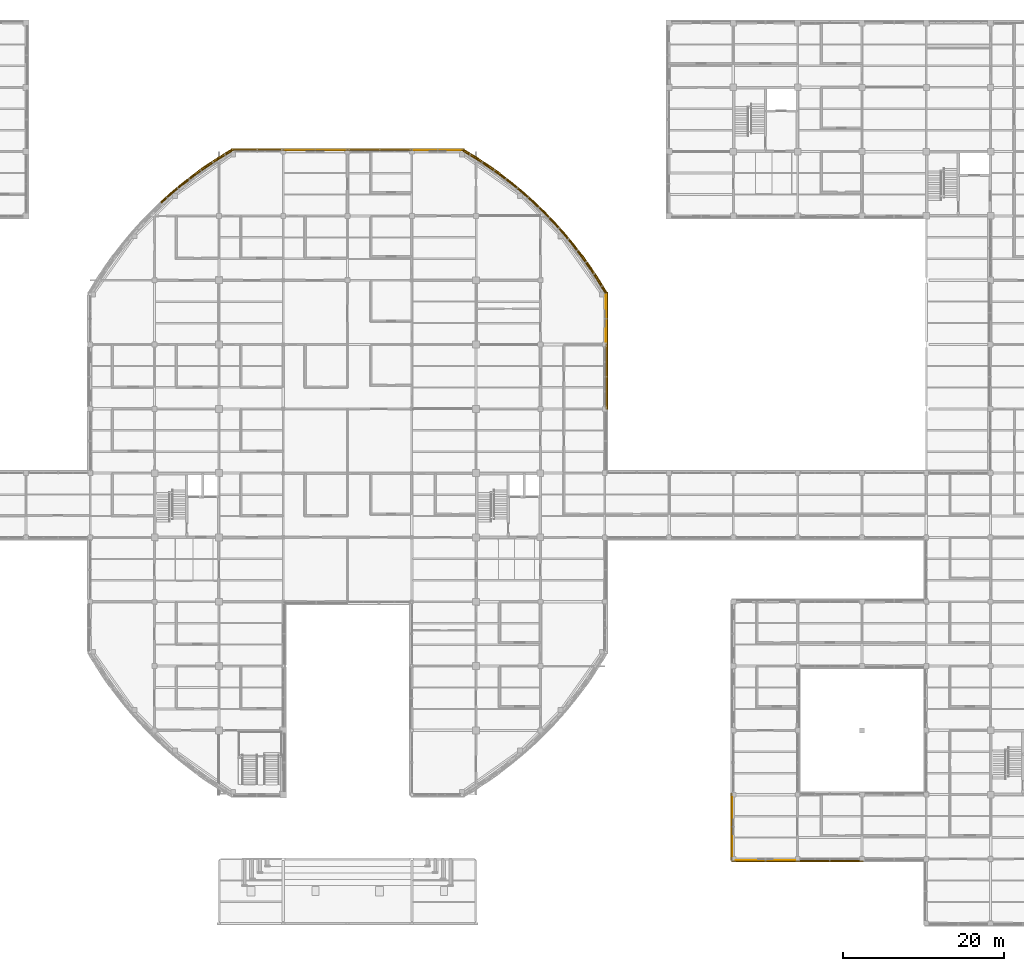
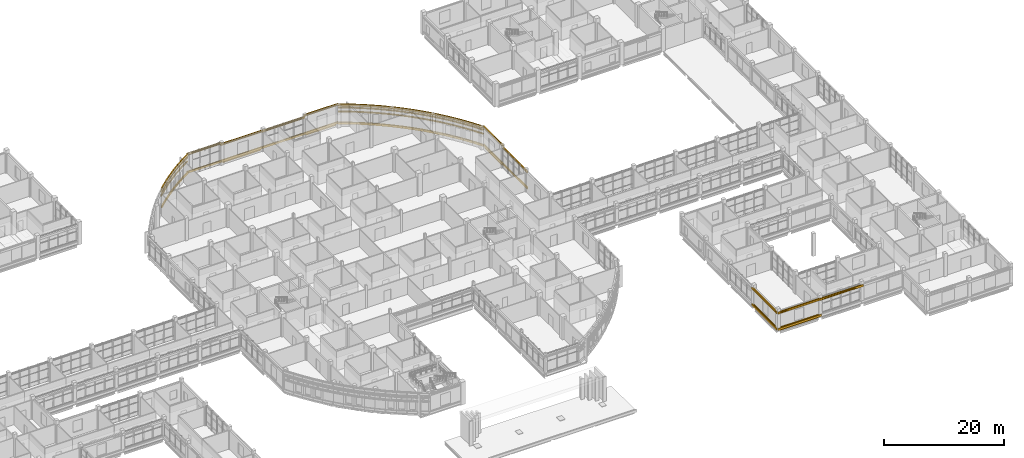
# One storey, part 117 of 121: 62 coverings, 49 shading devices.
"""IFC4 building model written with IfcOpenShell, lengths in metres."""

from ifc_helpers import new_model, si_unit, derived_unit, direction, frame, origin, origin_2d, place, context, subcontext, project, spatial, rectangle, circle, extrude, material, layer, layer_set, material_profile, profile_set, type_object, element, save


model = new_model("IFC4")

# Units and contexts
model_context = context("Model", 3, precision=1e-05, world=origin(), true_north=direction((0.0, 1.0)))
body_context = subcontext(model_context, "Body", "Model", "MODEL_VIEW")
ifc_project = project(units=[si_unit("LENGTHUNIT", "METRE"), si_unit("AREAUNIT", "SQUARE_METRE"), si_unit("VOLUMEUNIT", "CUBIC_METRE"), si_unit("PLANEANGLEUNIT", "RADIAN"), si_unit("MASSUNIT", "GRAM", prefix="KILO"), derived_unit("THERMALTRANSMITTANCEUNIT", [(si_unit("MASSUNIT", "GRAM", prefix="KILO"), 1), (si_unit("TIMEUNIT", "SECOND"), -3), (si_unit("THERMODYNAMICTEMPERATUREUNIT", "KELVIN"), -1)])], contexts=[model_context])

# Site, building, storey
site_placement = place(None, origin())
site = spatial("IfcSite", under=ifc_project, at=site_placement, CompositionType="ELEMENT")
building_placement = place(site_placement, origin())
building = spatial("IfcBuilding", under=site, at=building_placement, Name="Veyamyaing Civic Hall", CompositionType="ELEMENT")
storey_placement = place(building_placement, frame((0.0, 0.0, 5.280029296875)))
storey = spatial("IfcBuildingStorey", under=building, at=storey_placement, Name="L01", CompositionType="ELEMENT", Elevation=5.280029296875)

# Coverings
ifc_material_1 = material(Name="Buff sandstone ashlar cladding", Category="masonry")
ifc_layer_1 = layer(ifc_material_1, 0.050048828125, Name="Buff sandstone ashlar cladding")
ifc_layer_set_1 = layer_set([ifc_layer_1], Name="Buff sandstone ashlar cladding")
covering_type_1 = type_object("IfcCoveringType", Name="CL-01", PredefinedType="CLADDING", material=ifc_layer_set_1)
covering_placement = place(storey_placement, frame((84.0, 96.173583984375, 0.044921875), z_axis=(0.0, 0.0, 1.0), x_axis=(1.0, 0.0, 0.0)))
element("IfcCovering", 1, at=covering_placement, inside=storey, type_object=covering_type_1, Name="Facade spandrel cladding CL-01 L01 N 11.12", PredefinedType="CLADDING", context=body_context, shape_type="SweptSolid", body=[
    extrude(rectangle(XDim=7.35009765625, YDim=0.050048828125, at=origin_2d()), origin(), (0.0, 0.0, 1.0), 0.75),
])
for number, where, z_axis, x_axis, name in (
    (2, (99.21533203125, 96.173583984375, 0.044921875), (0.0, 0.0, 1.0), (1.0, 0.0, 0.0), "Facade spandrel cladding CL-01 L01 N 13.12"),
    (3, (120.173583984375, 75.21533203125, 0.044921875), (0.0, 0.0, 1.0), (0.0, 1.0, 0.0), "Facade spandrel cladding CL-01 L01 E 15.10"),
):
    element("IfcCovering", number, at=place(storey_placement, frame(where, z_axis=z_axis, x_axis=x_axis)), inside=storey, type_object=covering_type_1, Name=name, PredefinedType="CLADDING", context=body_context, shape_type="SweptSolid", body=[
        extrude(rectangle(XDim=5.78076171875, YDim=0.050048828125, at=origin_2d()), origin(), (0.0, 0.0, 1.0), 0.75),
    ])
for number, where, z_axis, x_axis, name in (
    (4, (140.0, 7.843994140625, 0.044921875), (0.0, 0.0, 1.0), (1.0, 0.0, 0.0), "Facade spandrel cladding CL-01 L01 S 18.2"),
    (5, (135.843994140625, 12.0, 0.044921875), (0.0, 0.0, 1.0), (0.0, 1.0, 0.0), "Facade spandrel cladding CL-01 L01 W 18.2"),
):
    element("IfcCovering", number, at=place(storey_placement, frame(where, z_axis=z_axis, x_axis=x_axis)), inside=storey, type_object=covering_type_1, Name=name, PredefinedType="CLADDING", context=body_context, shape_type="SweptSolid", body=[
        extrude(rectangle(XDim=7.35009765625, YDim=0.050048828125, at=origin_2d()), origin(), (0.0, 0.0, 1.0), 0.75),
    ])
ifc_material_2 = material(Name="White powder-coated aluminium 6063-T6", Category="aluminium")
ifc_layer_2 = layer(ifc_material_2, 0.2099609375, Name="White powder-coated aluminium 6063-T6")
ifc_layer_set_2 = layer_set([ifc_layer_2], Name="White powder-coated aluminium 6063-T6")
covering_type_2 = type_object("IfcCoveringType", Name="CL-03", PredefinedType="CLADDING", material=ifc_layer_set_2)
for number, where, z_axis, x_axis, name in (
    (6, (119.605224609375, 79.24072265625, 0.27001953125), (0.0, 0.0, 1.0), (-0.516106513571, 0.856524411006, 0.0), "Continuous white corner ribbon CL-03 L01 NE.1.1"),
    (7, (119.605224609375, 79.24072265625, 3.945068359375), (0.0, 0.0, 1.0), (-0.516106513571, 0.856524411006, 0.0), "Continuous white corner ribbon CL-03 L01 NE.1.2"),
    (8, (118.648681640625, 80.76318359375, 0.27001953125), (0.0, 0.0, 1.0), (-0.547771714075, 0.836627843942, 0.0), "Continuous white corner ribbon CL-03 L01 NE.2.1"),
    (9, (118.648681640625, 80.76318359375, 3.945068359375), (0.0, 0.0, 1.0), (-0.547771714075, 0.836627843942, 0.0), "Continuous white corner ribbon CL-03 L01 NE.2.2"),
    (10, (117.635986328125, 82.248291015625, 0.27001953125), (0.0, 0.0, 1.0), (-0.578671161892, 0.815560964241, 0.0), "Continuous white corner ribbon CL-03 L01 NE.3.1"),
    (11, (117.635986328125, 82.248291015625, 3.945068359375), (0.0, 0.0, 1.0), (-0.578671161892, 0.815560964241, 0.0), "Continuous white corner ribbon CL-03 L01 NE.3.2"),
    (12, (116.568603515625, 83.69482421875, 0.27001953125), (0.0, 0.0, 1.0), (-0.608761490723, 0.793353292936, 0.0), "Continuous white corner ribbon CL-03 L01 NE.4.1"),
    (13, (116.568603515625, 83.69482421875, 3.945068359375), (0.0, 0.0, 1.0), (-0.608761490723, 0.793353292936, 0.0), "Continuous white corner ribbon CL-03 L01 NE.4.2"),
    (14, (115.44775390625, 85.1005859375, 0.27001953125), (0.0, 0.0, 1.0), (-0.638000405445, 0.770036026853, 0.0), "Continuous white corner ribbon CL-03 L01 NE.5.1"),
    (15, (115.44775390625, 85.1005859375, 3.945068359375), (0.0, 0.0, 1.0), (-0.638000405445, 0.770036026853, 0.0), "Continuous white corner ribbon CL-03 L01 NE.5.2"),
    (16, (114.27490234375, 86.463134765625, 0.27001953125), (0.0, 0.0, 1.0), (-0.666346529453, 0.745642208225, 0.0), "Continuous white corner ribbon CL-03 L01 NE.6.1"),
    (17, (114.27490234375, 86.463134765625, 3.945068359375), (0.0, 0.0, 1.0), (-0.666346529453, 0.745642208225, 0.0), "Continuous white corner ribbon CL-03 L01 NE.6.2"),
    (18, (113.05224609375, 87.781005859375, 0.27001953125), (0.0, 0.0, 1.0), (-0.693760978012, 0.720205321688, 0.0), "Continuous white corner ribbon CL-03 L01 NE.7.1"),
    (19, (113.05224609375, 87.781005859375, 3.945068359375), (0.0, 0.0, 1.0), (-0.693760978012, 0.720205321688, 0.0), "Continuous white corner ribbon CL-03 L01 NE.7.2"),
    (20, (111.781005859375, 89.05224609375, 0.27001953125), (0.0, 0.0, 1.0), (-0.720205321688, 0.693760978012, 0.0), "Continuous white corner ribbon CL-03 L01 NE.8.1"),
    (21, (111.781005859375, 89.05224609375, 3.945068359375), (0.0, 0.0, 1.0), (-0.720205321688, 0.693760978012, 0.0), "Continuous white corner ribbon CL-03 L01 NE.8.2"),
    (22, (110.463134765625, 90.27490234375, 0.27001953125), (0.0, 0.0, 1.0), (-0.745642208225, 0.666346529453, 0.0), "Continuous white corner ribbon CL-03 L01 NE.9.1"),
    (23, (110.463134765625, 90.27490234375, 3.945068359375), (0.0, 0.0, 1.0), (-0.745642208225, 0.666346529453, 0.0), "Continuous white corner ribbon CL-03 L01 NE.9.2"),
    (24, (109.1005859375, 91.44775390625, 0.27001953125), (0.0, 0.0, 1.0), (-0.770036026853, 0.638000405445, 0.0), "Continuous white corner ribbon CL-03 L01 NE.10.1"),
    (25, (109.1005859375, 91.44775390625, 3.945068359375), (0.0, 0.0, 1.0), (-0.770036026853, 0.638000405445, 0.0), "Continuous white corner ribbon CL-03 L01 NE.10.2"),
    (26, (107.69482421875, 92.568603515625, 0.27001953125), (0.0, 0.0, 1.0), (-0.793353292936, 0.608761490723, 0.0), "Continuous white corner ribbon CL-03 L01 NE.11.1"),
    (27, (107.69482421875, 92.568603515625, 3.945068359375), (0.0, 0.0, 1.0), (-0.793353292936, 0.608761490723, 0.0), "Continuous white corner ribbon CL-03 L01 NE.11.2"),
    (28, (106.248291015625, 93.635986328125, 0.27001953125), (0.0, 0.0, 1.0), (-0.815560964241, 0.578671161892, 0.0), "Continuous white corner ribbon CL-03 L01 NE.12.1"),
    (29, (106.248291015625, 93.635986328125, 3.945068359375), (0.0, 0.0, 1.0), (-0.815560964241, 0.578671161892, 0.0), "Continuous white corner ribbon CL-03 L01 NE.12.2"),
    (30, (104.76318359375, 94.648681640625, 0.27001953125), (0.0, 0.0, 1.0), (-0.836627843942, 0.547771714075, 0.0), "Continuous white corner ribbon CL-03 L01 NE.13.1"),
    (31, (104.76318359375, 94.648681640625, 3.945068359375), (0.0, 0.0, 1.0), (-0.836627843942, 0.547771714075, 0.0), "Continuous white corner ribbon CL-03 L01 NE.13.2"),
    (32, (103.24072265625, 95.605224609375, 0.27001953125), (0.0, 0.0, 1.0), (-0.856524411006, 0.516106513571, 0.0), "Continuous white corner ribbon CL-03 L01 NE.14.1"),
    (33, (103.24072265625, 95.605224609375, 3.945068359375), (0.0, 0.0, 1.0), (-0.856524411006, 0.516106513571, 0.0), "Continuous white corner ribbon CL-03 L01 NE.14.2"),
    (34, (72.75927734375, 95.605224609375, 0.27001953125), (0.0, 0.0, 1.0), (-0.856524411006, -0.516106513571, 0.0), "Continuous white corner ribbon CL-03 L01 NW.1.1"),
    (35, (72.75927734375, 95.605224609375, 3.945068359375), (0.0, 0.0, 1.0), (-0.856524411006, -0.516106513571, 0.0), "Continuous white corner ribbon CL-03 L01 NW.1.2"),
    (36, (71.23681640625, 94.648681640625, 0.27001953125), (0.0, 0.0, 1.0), (-0.836627843942, -0.547771714075, 0.0), "Continuous white corner ribbon CL-03 L01 NW.2.1"),
    (37, (71.23681640625, 94.648681640625, 3.945068359375), (0.0, 0.0, 1.0), (-0.836627843942, -0.547771714075, 0.0), "Continuous white corner ribbon CL-03 L01 NW.2.2"),
    (38, (69.751708984375, 93.635986328125, 0.27001953125), (0.0, 0.0, 1.0), (-0.815560964241, -0.578671161892, 0.0), "Continuous white corner ribbon CL-03 L01 NW.3.1"),
    (39, (69.751708984375, 93.635986328125, 3.945068359375), (0.0, 0.0, 1.0), (-0.815560964241, -0.578671161892, 0.0), "Continuous white corner ribbon CL-03 L01 NW.3.2"),
    (40, (68.30517578125, 92.568603515625, 0.27001953125), (0.0, 0.0, 1.0), (-0.793353292936, -0.608761490723, 0.0), "Continuous white corner ribbon CL-03 L01 NW.4.1"),
    (41, (68.30517578125, 92.568603515625, 3.945068359375), (0.0, 0.0, 1.0), (-0.793353292936, -0.608761490723, 0.0), "Continuous white corner ribbon CL-03 L01 NW.4.2"),
    (42, (66.8994140625, 91.44775390625, 0.27001953125), (0.0, 0.0, 1.0), (-0.770036026853, -0.638000405445, 0.0), "Continuous white corner ribbon CL-03 L01 NW.5.1"),
    (43, (66.8994140625, 91.44775390625, 3.945068359375), (0.0, 0.0, 1.0), (-0.770036026853, -0.638000405445, 0.0), "Continuous white corner ribbon CL-03 L01 NW.5.2"),
    (44, (65.536865234375, 90.27490234375, 0.27001953125), (0.0, 0.0, 1.0), (-0.745642208225, -0.666346529453, 0.0), "Continuous white corner ribbon CL-03 L01 NW.6.1"),
    (45, (65.536865234375, 90.27490234375, 3.945068359375), (0.0, 0.0, 1.0), (-0.745642208225, -0.666346529453, 0.0), "Continuous white corner ribbon CL-03 L01 NW.6.2"),
):
    element("IfcCovering", number, at=place(storey_placement, frame(where, z_axis=z_axis, x_axis=x_axis)), inside=storey, type_object=covering_type_2, Name=name, PredefinedType="CLADDING", context=body_context, shape_type="SweptSolid", body=[
        extrude(rectangle(XDim=1.93505859375, YDim=0.2099609375, at=origin_2d()), origin(), (0.0, 0.0, 1.0), 0.419921875),
    ])
for number, where, z_axis, x_axis, name in (
    (46, (76.78466796875, 96.239990234375, 3.955078125), (0.0, 0.0, 1.0), (1.0, 0.0, 0.0), "Continuous white head fascia ribbon CL-03 L01 N 10.12"),
    (47, (76.78466796875, 96.239990234375, 0.280029296875), (0.0, 0.0, 1.0), (1.0, 0.0, 0.0), "Continuous white sill fascia ribbon CL-03 L01 N 10.12"),
):
    element("IfcCovering", number, at=place(storey_placement, frame(where, z_axis=z_axis, x_axis=x_axis)), inside=storey, type_object=covering_type_2, Name=name, PredefinedType="CLADDING", context=body_context, shape_type="SweptSolid", body=[
        extrude(rectangle(XDim=6.55078125, YDim=0.2099609375, at=origin_2d()), origin(), (0.0, 0.0, 1.0), 0.39990234375),
    ])
for number, where, z_axis, x_axis, name in (
    (48, (84.0, 96.239990234375, 3.64208984375), (0.0, 0.0, 1.0), (1.0, 0.0, 0.0), "Continuous white head fascia ribbon CL-03 L01 N 11.12"),
    (49, (84.0, 96.239990234375, 0.280029296875), (0.0, 0.0, 1.0), (1.0, 0.0, 0.0), "Continuous white sill fascia ribbon CL-03 L01 N 11.12"),
    (50, (92.0, 96.239990234375, 3.574951171875), (0.0, 0.0, 1.0), (1.0, 0.0, 0.0), "Continuous white head fascia ribbon CL-03 L01 N 12.12"),
    (51, (92.0, 96.239990234375, 0.280029296875), (0.0, 0.0, 1.0), (1.0, 0.0, 0.0), "Continuous white sill fascia ribbon CL-03 L01 N 12.12"),
):
    element("IfcCovering", number, at=place(storey_placement, frame(where, z_axis=z_axis, x_axis=x_axis)), inside=storey, type_object=covering_type_2, Name=name, PredefinedType="CLADDING", context=body_context, shape_type="SweptSolid", body=[
        extrude(rectangle(XDim=8.1201171875, YDim=0.2099609375, at=origin_2d()), origin(), (0.0, 0.0, 1.0), 0.39990234375),
    ])
for number, where, z_axis, x_axis, name in (
    (52, (99.21533203125, 96.239990234375, 3.955078125), (0.0, 0.0, 1.0), (1.0, 0.0, 0.0), "Continuous white head fascia ribbon CL-03 L01 N 13.12"),
    (53, (99.21533203125, 96.239990234375, 0.280029296875), (0.0, 0.0, 1.0), (1.0, 0.0, 0.0), "Continuous white sill fascia ribbon CL-03 L01 N 13.12"),
):
    element("IfcCovering", number, at=place(storey_placement, frame(where, z_axis=z_axis, x_axis=x_axis)), inside=storey, type_object=covering_type_2, Name=name, PredefinedType="CLADDING", context=body_context, shape_type="SweptSolid", body=[
        extrude(rectangle(XDim=6.55078125, YDim=0.2099609375, at=origin_2d()), origin(), (0.0, 0.0, 1.0), 0.39990234375),
    ])
for number, where, z_axis, x_axis, name in (
    (54, (120.239990234375, 68.0, 3.574951171875), (0.0, 0.0, 1.0), (0.0, 1.0, 0.0), "Continuous white head fascia ribbon CL-03 L01 E 15.9"),
    (55, (120.239990234375, 68.0, 0.280029296875), (0.0, 0.0, 1.0), (0.0, 1.0, 0.0), "Continuous white sill fascia ribbon CL-03 L01 E 15.9"),
):
    element("IfcCovering", number, at=place(storey_placement, frame(where, z_axis=z_axis, x_axis=x_axis)), inside=storey, type_object=covering_type_2, Name=name, PredefinedType="CLADDING", context=body_context, shape_type="SweptSolid", body=[
        extrude(rectangle(XDim=8.1201171875, YDim=0.2099609375, at=origin_2d()), origin(), (0.0, 0.0, 1.0), 0.39990234375),
    ])
for number, where, z_axis, x_axis, name in (
    (56, (120.239990234375, 75.21533203125, 3.955078125), (0.0, 0.0, 1.0), (0.0, 1.0, 0.0), "Continuous white head fascia ribbon CL-03 L01 E 15.10"),
    (57, (120.239990234375, 75.21533203125, 0.280029296875), (0.0, 0.0, 1.0), (0.0, 1.0, 0.0), "Continuous white sill fascia ribbon CL-03 L01 E 15.10"),
):
    element("IfcCovering", number, at=place(storey_placement, frame(where, z_axis=z_axis, x_axis=x_axis)), inside=storey, type_object=covering_type_2, Name=name, PredefinedType="CLADDING", context=body_context, shape_type="SweptSolid", body=[
        extrude(rectangle(XDim=6.55078125, YDim=0.2099609375, at=origin_2d()), origin(), (0.0, 0.0, 1.0), 0.39990234375),
    ])
for number, where, z_axis, x_axis, name in (
    (58, (140.0, 7.760009765625, 3.596923828125), (0.0, 0.0, 1.0), (1.0, 0.0, 0.0), "Continuous white head fascia ribbon CL-03 L01 S 18.2"),
    (59, (140.0, 7.760009765625, 0.280029296875), (0.0, 0.0, 1.0), (1.0, 0.0, 0.0), "Continuous white sill fascia ribbon CL-03 L01 S 18.2"),
    (60, (135.760009765625, 12.0, 3.596923828125), (0.0, 0.0, 1.0), (0.0, 1.0, 0.0), "Continuous white head fascia ribbon CL-03 L01 W 18.2"),
    (61, (135.760009765625, 12.0, 0.280029296875), (0.0, 0.0, 1.0), (0.0, 1.0, 0.0), "Continuous white sill fascia ribbon CL-03 L01 W 18.2"),
    (62, (148.0, 7.760009765625, 3.530029296875), (0.0, 0.0, 1.0), (1.0, 0.0, 0.0), "Continuous white head fascia ribbon CL-03 L01 S 19.2"),
):
    element("IfcCovering", number, at=place(storey_placement, frame(where, z_axis=z_axis, x_axis=x_axis)), inside=storey, type_object=covering_type_2, Name=name, PredefinedType="CLADDING", context=body_context, shape_type="SweptSolid", body=[
        extrude(rectangle(XDim=8.360107421875, YDim=0.2099609375, at=origin_2d()), origin(), (0.0, 0.0, 1.0), 0.39990234375),
    ])

# Shading devices
ifc_material_profile_1 = material_profile(ifc_material_2, circle(Radius=0.110107421875, at=origin_2d()), Name="SHADE-TUBE-220")
ifc_profile_set_1 = profile_set([ifc_material_profile_1], Name="White powder-coated aluminium 6063-T6")
shading_device_type_1 = type_object("IfcShadingDeviceType", Name="SH-01", PredefinedType="USERDEFINED", material=ifc_profile_set_1)
for number, where, z_axis, x_axis, name in (
    (63, (120.136962890625, 78.513427734375, 2.75), (-0.51607516088, 0.856543302071, 0.0), (-0.856543302071, -0.51607516088, 0.0), "White corner sunshade ribbon SH-01 L01 NE.1.1"),
    (64, (120.136962890625, 78.513427734375, 3.550048828125), (-0.51607516088, 0.856543302071, 0.0), (-0.856543302071, -0.51607516088, 0.0), "White corner sunshade ribbon SH-01 L01 NE.1.2"),
):
    element("IfcShadingDevice", number, at=place(storey_placement, frame(where, z_axis=z_axis, x_axis=x_axis)), inside=storey, type_object=shading_device_type_1, Name=name, ObjectType="SUNSHADE", PredefinedType="USERDEFINED", context=body_context, shape_type="SweptSolid", body=[
        extrude(circle(Radius=0.110107421875, at=origin_2d()), origin(), (0.0, 0.0, 1.0), 1.794921875),
    ])
for number, where, z_axis, x_axis, name in (
    (65, (119.20751953125, 80.055908203125, 2.75), (-0.547776876079, 0.836624464161, 0.0), (-0.836624464161, -0.547776876079, 0.0), "White corner sunshade ribbon SH-01 L01 NE.2.1"),
    (66, (119.20751953125, 80.055908203125, 3.550048828125), (-0.547776876079, 0.836624464161, 0.0), (-0.836624464161, -0.547776876079, 0.0), "White corner sunshade ribbon SH-01 L01 NE.2.2"),
):
    element("IfcShadingDevice", number, at=place(storey_placement, frame(where, z_axis=z_axis, x_axis=x_axis)), inside=storey, type_object=shading_device_type_1, Name=name, ObjectType="SUNSHADE", PredefinedType="USERDEFINED", context=body_context, shape_type="SweptSolid", body=[
        extrude(circle(Radius=0.110107421875, at=origin_2d()), origin(), (0.0, 0.0, 1.0), 1.795166015625),
    ])
for number, where, z_axis, x_axis, name in (
    (67, (118.220703125, 81.562744140625, 2.75), (-0.578726580586, 0.815521639764, 0.0), (-0.815521639764, -0.578726580586, 0.0), "White corner sunshade ribbon SH-01 L01 NE.3.1"),
    (68, (118.220703125, 81.562744140625, 3.550048828125), (-0.578726580586, 0.815521639764, 0.0), (-0.815521639764, -0.578726580586, 0.0), "White corner sunshade ribbon SH-01 L01 NE.3.2"),
):
    element("IfcShadingDevice", number, at=place(storey_placement, frame(where, z_axis=z_axis, x_axis=x_axis)), inside=storey, type_object=shading_device_type_1, Name=name, ObjectType="SUNSHADE", PredefinedType="USERDEFINED", context=body_context, shape_type="SweptSolid", body=[
        extrude(circle(Radius=0.110107421875, at=origin_2d()), origin(), (0.0, 0.0, 1.0), 1.794921875),
    ])
for number, where, z_axis, x_axis, name in (
    (69, (117.178466796875, 83.031494140625, 2.75), (-0.608711298549, 0.79339180423, 0.0), (-0.79339180423, -0.608711298549, 0.0), "White corner sunshade ribbon SH-01 L01 NE.4.1"),
    (70, (117.178466796875, 83.031494140625, 3.550048828125), (-0.608711298549, 0.79339180423, 0.0), (-0.79339180423, -0.608711298549, 0.0), "White corner sunshade ribbon SH-01 L01 NE.4.2"),
    (71, (116.081787109375, 84.46044921875, 2.75), (-0.637987912111, 0.770046377824, 0.0), (-0.770046377824, -0.637987912111, 0.0), "White corner sunshade ribbon SH-01 L01 NE.5.1"),
    (72, (116.081787109375, 84.46044921875, 3.550048828125), (-0.637987912111, 0.770046377824, 0.0), (-0.770046377824, -0.637987912111, 0.0), "White corner sunshade ribbon SH-01 L01 NE.5.2"),
    (73, (114.9326171875, 85.84716796875, 2.75), (-0.666277888361, 0.745703543965, 0.0), (-0.745703543965, -0.666277888361, 0.0), "White corner sunshade ribbon SH-01 L01 NE.6.1"),
    (74, (114.9326171875, 85.84716796875, 3.550048828125), (-0.666277888361, 0.745703543965, 0.0), (-0.745703543965, -0.666277888361, 0.0), "White corner sunshade ribbon SH-01 L01 NE.6.2"),
):
    element("IfcShadingDevice", number, at=place(storey_placement, frame(where, z_axis=z_axis, x_axis=x_axis)), inside=storey, type_object=shading_device_type_1, Name=name, ObjectType="SUNSHADE", PredefinedType="USERDEFINED", context=body_context, shape_type="SweptSolid", body=[
        extrude(circle(Radius=0.110107421875, at=origin_2d()), origin(), (0.0, 0.0, 1.0), 1.795166015625),
    ])
for number, where, z_axis, x_axis, name in (
    (75, (113.732421875, 87.190185546875, 2.75), (-0.693790654785, 0.720176733402, 0.0), (-0.720176733402, -0.693790654785, 0.0), "White corner sunshade ribbon SH-01 L01 NE.7.1"),
    (76, (113.732421875, 87.190185546875, 3.550048828125), (-0.693790654785, 0.720176733402, 0.0), (-0.720176733402, -0.693790654785, 0.0), "White corner sunshade ribbon SH-01 L01 NE.7.2"),
    (77, (112.48291015625, 88.487060546875, 2.75), (-0.720176733402, 0.693790654785, 0.0), (-0.693790654785, -0.720176733402, 0.0), "White corner sunshade ribbon SH-01 L01 NE.8.1"),
    (78, (112.48291015625, 88.487060546875, 3.550048828125), (-0.720176733402, 0.693790654785, 0.0), (-0.693790654785, -0.720176733402, 0.0), "White corner sunshade ribbon SH-01 L01 NE.8.2"),
):
    element("IfcShadingDevice", number, at=place(storey_placement, frame(where, z_axis=z_axis, x_axis=x_axis)), inside=storey, type_object=shading_device_type_1, Name=name, ObjectType="SUNSHADE", PredefinedType="USERDEFINED", context=body_context, shape_type="SweptSolid", body=[
        extrude(circle(Radius=0.110107421875, at=origin_2d()), origin(), (0.0, 0.0, 1.0), 1.794921875),
    ])
for number, where, z_axis, x_axis, name in (
    (79, (111.185791015625, 89.736572265625, 2.75), (-0.745703543965, 0.666277888361, 0.0), (-0.666277888361, -0.745703543965, 0.0), "White corner sunshade ribbon SH-01 L01 NE.9.1"),
    (80, (111.185791015625, 89.736572265625, 3.550048828125), (-0.745703543965, 0.666277888361, 0.0), (-0.666277888361, -0.745703543965, 0.0), "White corner sunshade ribbon SH-01 L01 NE.9.2"),
    (81, (109.8427734375, 90.9365234375, 2.75), (-0.770046377824, 0.637987912111, 0.0), (-0.637987912111, -0.770046377824, 0.0), "White corner sunshade ribbon SH-01 L01 NE.10.1"),
    (82, (109.8427734375, 90.9365234375, 3.550048828125), (-0.770046377824, 0.637987912111, 0.0), (-0.637987912111, -0.770046377824, 0.0), "White corner sunshade ribbon SH-01 L01 NE.10.2"),
    (83, (108.455810546875, 92.085693359375, 2.75), (-0.79339180423, 0.608711298549, 0.0), (-0.608711298549, -0.79339180423, 0.0), "White corner sunshade ribbon SH-01 L01 NE.11.1"),
    (84, (108.455810546875, 92.085693359375, 3.550048828125), (-0.79339180423, 0.608711298549, 0.0), (-0.608711298549, -0.79339180423, 0.0), "White corner sunshade ribbon SH-01 L01 NE.11.2"),
):
    element("IfcShadingDevice", number, at=place(storey_placement, frame(where, z_axis=z_axis, x_axis=x_axis)), inside=storey, type_object=shading_device_type_1, Name=name, ObjectType="SUNSHADE", PredefinedType="USERDEFINED", context=body_context, shape_type="SweptSolid", body=[
        extrude(circle(Radius=0.110107421875, at=origin_2d()), origin(), (0.0, 0.0, 1.0), 1.795166015625),
    ])
for number, where, z_axis, x_axis, name in (
    (85, (107.026611328125, 93.181884765625, 2.75), (-0.815521639764, 0.578726580586, 0.0), (-0.578726580586, -0.815521639764, 0.0), "White corner sunshade ribbon SH-01 L01 NE.12.1"),
    (86, (107.026611328125, 93.181884765625, 3.550048828125), (-0.815521639764, 0.578726580586, 0.0), (-0.578726580586, -0.815521639764, 0.0), "White corner sunshade ribbon SH-01 L01 NE.12.2"),
):
    element("IfcShadingDevice", number, at=place(storey_placement, frame(where, z_axis=z_axis, x_axis=x_axis)), inside=storey, type_object=shading_device_type_1, Name=name, ObjectType="SUNSHADE", PredefinedType="USERDEFINED", context=body_context, shape_type="SweptSolid", body=[
        extrude(circle(Radius=0.110107421875, at=origin_2d()), origin(), (0.0, 0.0, 1.0), 1.794921875),
    ])
for number, where, z_axis, x_axis, name in (
    (87, (105.557861328125, 94.22412109375, 2.75), (-0.836624464161, 0.547776876079, 0.0), (-0.547776876079, -0.836624464161, 0.0), "White corner sunshade ribbon SH-01 L01 NE.13.1"),
    (88, (105.557861328125, 94.22412109375, 3.550048828125), (-0.836624464161, 0.547776876079, 0.0), (-0.547776876079, -0.836624464161, 0.0), "White corner sunshade ribbon SH-01 L01 NE.13.2"),
):
    element("IfcShadingDevice", number, at=place(storey_placement, frame(where, z_axis=z_axis, x_axis=x_axis)), inside=storey, type_object=shading_device_type_1, Name=name, ObjectType="SUNSHADE", PredefinedType="USERDEFINED", context=body_context, shape_type="SweptSolid", body=[
        extrude(circle(Radius=0.110107421875, at=origin_2d()), origin(), (0.0, 0.0, 1.0), 1.795166015625),
    ])
for number, where, z_axis, x_axis, name in (
    (89, (104.05078125, 95.210693359375, 2.75), (-0.856543302071, 0.51607516088, 0.0), (-0.51607516088, -0.856543302071, 0.0), "White corner sunshade ribbon SH-01 L01 NE.14.1"),
    (90, (104.05078125, 95.210693359375, 3.550048828125), (-0.856543302071, 0.51607516088, 0.0), (-0.51607516088, -0.856543302071, 0.0), "White corner sunshade ribbon SH-01 L01 NE.14.2"),
    (91, (73.486572265625, 96.136962890625, 2.75), (-0.856543302071, -0.51607516088, 0.0), (0.51607516088, -0.856543302071, 0.0), "White corner sunshade ribbon SH-01 L01 NW.1.1"),
    (92, (73.486572265625, 96.136962890625, 3.550048828125), (-0.856543302071, -0.51607516088, 0.0), (0.51607516088, -0.856543302071, 0.0), "White corner sunshade ribbon SH-01 L01 NW.1.2"),
):
    element("IfcShadingDevice", number, at=place(storey_placement, frame(where, z_axis=z_axis, x_axis=x_axis)), inside=storey, type_object=shading_device_type_1, Name=name, ObjectType="SUNSHADE", PredefinedType="USERDEFINED", context=body_context, shape_type="SweptSolid", body=[
        extrude(circle(Radius=0.110107421875, at=origin_2d()), origin(), (0.0, 0.0, 1.0), 1.794921875),
    ])
for number, where, z_axis, x_axis, name in (
    (93, (71.944091796875, 95.20751953125, 2.75), (-0.836624464161, -0.547776876079, 0.0), (0.547776876079, -0.836624464161, 0.0), "White corner sunshade ribbon SH-01 L01 NW.2.1"),
    (94, (71.944091796875, 95.20751953125, 3.550048828125), (-0.836624464161, -0.547776876079, 0.0), (0.547776876079, -0.836624464161, 0.0), "White corner sunshade ribbon SH-01 L01 NW.2.2"),
):
    element("IfcShadingDevice", number, at=place(storey_placement, frame(where, z_axis=z_axis, x_axis=x_axis)), inside=storey, type_object=shading_device_type_1, Name=name, ObjectType="SUNSHADE", PredefinedType="USERDEFINED", context=body_context, shape_type="SweptSolid", body=[
        extrude(circle(Radius=0.110107421875, at=origin_2d()), origin(), (0.0, 0.0, 1.0), 1.795166015625),
    ])
for number, where, z_axis, x_axis, name in (
    (95, (70.437255859375, 94.220703125, 2.75), (-0.815521639764, -0.578726580586, 0.0), (0.578726580586, -0.815521639764, 0.0), "White corner sunshade ribbon SH-01 L01 NW.3.1"),
    (96, (70.437255859375, 94.220703125, 3.550048828125), (-0.815521639764, -0.578726580586, 0.0), (0.578726580586, -0.815521639764, 0.0), "White corner sunshade ribbon SH-01 L01 NW.3.2"),
):
    element("IfcShadingDevice", number, at=place(storey_placement, frame(where, z_axis=z_axis, x_axis=x_axis)), inside=storey, type_object=shading_device_type_1, Name=name, ObjectType="SUNSHADE", PredefinedType="USERDEFINED", context=body_context, shape_type="SweptSolid", body=[
        extrude(circle(Radius=0.110107421875, at=origin_2d()), origin(), (0.0, 0.0, 1.0), 1.794921875),
    ])
for number, where, z_axis, x_axis, name in (
    (97, (68.968505859375, 93.178466796875, 2.75), (-0.79339180423, -0.608711298549, 0.0), (0.608711298549, -0.79339180423, 0.0), "White corner sunshade ribbon SH-01 L01 NW.4.1"),
    (98, (68.968505859375, 93.178466796875, 3.550048828125), (-0.79339180423, -0.608711298549, 0.0), (0.608711298549, -0.79339180423, 0.0), "White corner sunshade ribbon SH-01 L01 NW.4.2"),
    (99, (67.53955078125, 92.081787109375, 2.75), (-0.770046377824, -0.637987912111, 0.0), (0.637987912111, -0.770046377824, 0.0), "White corner sunshade ribbon SH-01 L01 NW.5.1"),
    (100, (67.53955078125, 92.081787109375, 3.550048828125), (-0.770046377824, -0.637987912111, 0.0), (0.637987912111, -0.770046377824, 0.0), "White corner sunshade ribbon SH-01 L01 NW.5.2"),
    (101, (66.15283203125, 90.9326171875, 2.75), (-0.745703543965, -0.666277888361, 0.0), (0.666277888361, -0.745703543965, 0.0), "White corner sunshade ribbon SH-01 L01 NW.6.1"),
    (102, (66.15283203125, 90.9326171875, 3.550048828125), (-0.745703543965, -0.666277888361, 0.0), (0.666277888361, -0.745703543965, 0.0), "White corner sunshade ribbon SH-01 L01 NW.6.2"),
):
    element("IfcShadingDevice", number, at=place(storey_placement, frame(where, z_axis=z_axis, x_axis=x_axis)), inside=storey, type_object=shading_device_type_1, Name=name, ObjectType="SUNSHADE", PredefinedType="USERDEFINED", context=body_context, shape_type="SweptSolid", body=[
        extrude(circle(Radius=0.110107421875, at=origin_2d()), origin(), (0.0, 0.0, 1.0), 1.795166015625),
    ])
shading_device_1_placement = place(storey_placement, frame((73.854248046875, 96.239990234375, 4.114990234375), z_axis=(1.0, 0.0, 0.0), x_axis=(0.0, 1.0, 0.0)))
element("IfcShadingDevice", 103, at=shading_device_1_placement, inside=storey, type_object=shading_device_type_1, Name="Horizontal white sunshade ribbon SH-01 L01 N 10.12", ObjectType="SUNSHADE", PredefinedType="USERDEFINED", context=body_context, shape_type="SweptSolid", body=[
    extrude(circle(Radius=0.110107421875, at=origin_2d()), origin(), (0.0, 0.0, 1.0), 5.86083984375),
])
for number, where, z_axis, x_axis, name in (
    (104, (80.284912109375, 96.239990234375, 3.802001953125), (1.0, 0.0, 0.0), (0.0, 1.0, 0.0), "Horizontal white sunshade ribbon SH-01 L01 N 11.12"),
    (105, (88.284912109375, 96.239990234375, 3.73486328125), (1.0, 0.0, 0.0), (0.0, 1.0, 0.0), "Horizontal white sunshade ribbon SH-01 L01 N 12.12"),
):
    element("IfcShadingDevice", number, at=place(storey_placement, frame(where, z_axis=z_axis, x_axis=x_axis)), inside=storey, type_object=shading_device_type_1, Name=name, ObjectType="SUNSHADE", PredefinedType="USERDEFINED", context=body_context, shape_type="SweptSolid", body=[
        extrude(circle(Radius=0.110107421875, at=origin_2d()), origin(), (0.0, 0.0, 1.0), 7.43017578125),
    ])
shading_device_2_placement = place(storey_placement, frame((96.284912109375, 96.239990234375, 4.114990234375), z_axis=(1.0, 0.0, 0.0), x_axis=(0.0, 1.0, 0.0)))
element("IfcShadingDevice", 106, at=shading_device_2_placement, inside=storey, type_object=shading_device_type_1, Name="Horizontal white sunshade ribbon SH-01 L01 N 13.12", ObjectType="SUNSHADE", PredefinedType="USERDEFINED", context=body_context, shape_type="SweptSolid", body=[
    extrude(circle(Radius=0.110107421875, at=origin_2d()), origin(), (0.0, 0.0, 1.0), 5.86083984375),
])
shading_device_3_placement = place(storey_placement, frame((120.239990234375, 64.284912109375, 3.73486328125), z_axis=(0.0, 1.0, 0.0), x_axis=(-1.0, 0.0, 0.0)))
element("IfcShadingDevice", 107, at=shading_device_3_placement, inside=storey, type_object=shading_device_type_1, Name="Horizontal white sunshade ribbon SH-01 L01 E 15.9", ObjectType="SUNSHADE", PredefinedType="USERDEFINED", context=body_context, shape_type="SweptSolid", body=[
    extrude(circle(Radius=0.110107421875, at=origin_2d()), origin(), (0.0, 0.0, 1.0), 7.43017578125),
])
shading_device_4_placement = place(storey_placement, frame((120.239990234375, 72.284912109375, 4.114990234375), z_axis=(0.0, 1.0, 0.0), x_axis=(-1.0, 0.0, 0.0)))
element("IfcShadingDevice", 108, at=shading_device_4_placement, inside=storey, type_object=shading_device_type_1, Name="Horizontal white sunshade ribbon SH-01 L01 E 15.10", ObjectType="SUNSHADE", PredefinedType="USERDEFINED", context=body_context, shape_type="SweptSolid", body=[
    extrude(circle(Radius=0.110107421875, at=origin_2d()), origin(), (0.0, 0.0, 1.0), 5.86083984375),
])
ifc_material_profile_2 = material_profile(ifc_material_2, circle(Radius=0.090087890625, at=origin_2d()), Name="SHADE-TUBE-180")
ifc_profile_set_2 = profile_set([ifc_material_profile_2], Name="White powder-coated aluminium 6063-T6")
shading_device_type_2 = type_object("IfcShadingDeviceType", Name="SH-02", PredefinedType="USERDEFINED", material=ifc_profile_set_2)
for number, where, z_axis, x_axis, name in (
    (109, (136.284912109375, 7.760009765625, 3.757080078125), (1.0, 0.0, 0.0), (0.0, 1.0, 0.0), "Horizontal white sunshade ribbon SH-02 L01 S 18.2"),
    (110, (135.760009765625, 8.284912109375, 3.757080078125), (0.0, 1.0, 0.0), (-1.0, 0.0, 0.0), "Horizontal white sunshade ribbon SH-02 L01 W 18.2"),
    (111, (144.284912109375, 7.760009765625, 3.68994140625), (1.0, 0.0, 0.0), (0.0, 1.0, 0.0), "Horizontal white sunshade ribbon SH-02 L01 S 19.2"),
):
    element("IfcShadingDevice", number, at=place(storey_placement, frame(where, z_axis=z_axis, x_axis=x_axis)), inside=storey, type_object=shading_device_type_2, Name=name, ObjectType="SUNSHADE", PredefinedType="USERDEFINED", context=body_context, shape_type="SweptSolid", body=[
        extrude(circle(Radius=0.090087890625, at=origin_2d()), origin(), (0.0, 0.0, 1.0), 7.43017578125),
    ])

save(model, "model.ifc")
